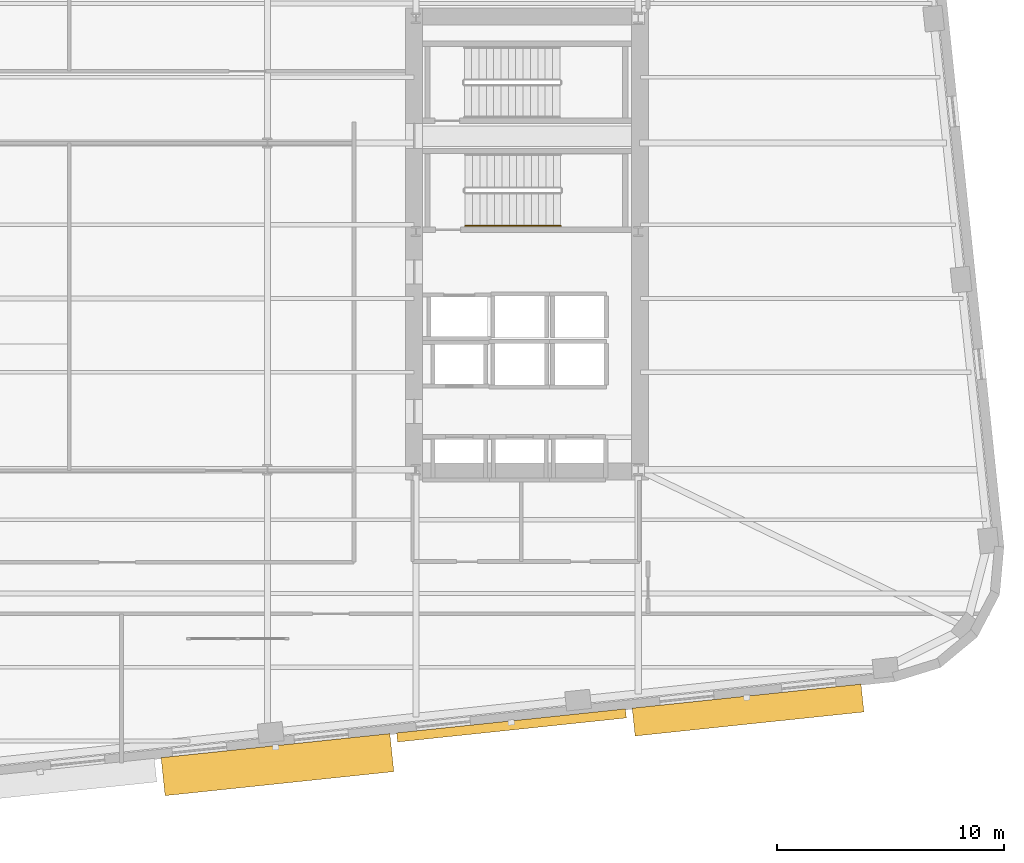
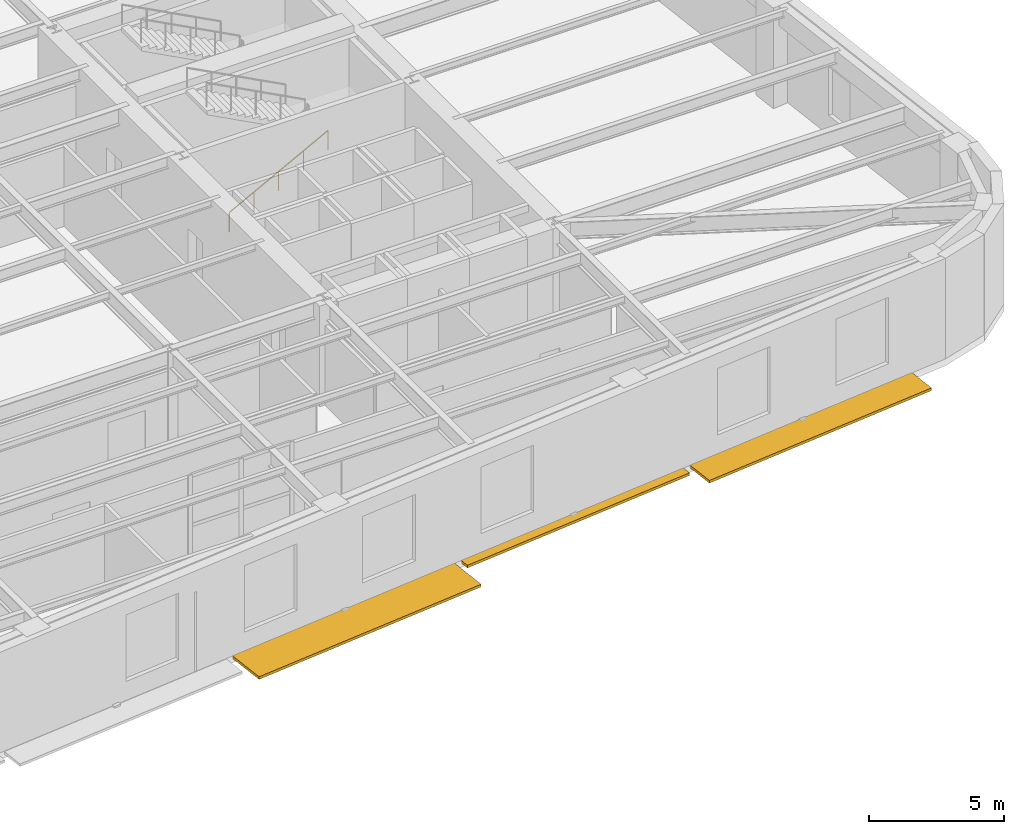
# One storey, part 12 of 14: 3 shading devices, 1 railing.
"""IFC4 building model written with IfcOpenShell, lengths in metres."""

from ifc_helpers import new_model, si_unit, direction, frame, origin, origin_2d, place, context, subcontext, project, spatial, rectangle, circle, extrude, material, type_object, element, save


model = new_model("IFC4")

# Units and contexts
model_context = context("Model", 3, precision=1e-05, world=origin(), true_north=direction((0.0, 1.0)))
body_context = subcontext(model_context, "Body", "Model", "MODEL_VIEW")
ifc_project = project(units=[si_unit("LENGTHUNIT", "METRE"), si_unit("AREAUNIT", "SQUARE_METRE"), si_unit("VOLUMEUNIT", "CUBIC_METRE"), si_unit("PLANEANGLEUNIT", "RADIAN"), si_unit("MASSUNIT", "GRAM", prefix="KILO")], contexts=[model_context])

# Site, building, storey
site_placement = place(None, origin())
site = spatial("IfcSite", under=ifc_project, at=site_placement, CompositionType="ELEMENT")
building_placement = place(site_placement, origin())
building = spatial("IfcBuilding", under=site, at=building_placement, Name="Kolvaren Arena Tower", CompositionType="ELEMENT")
storey_placement = place(building_placement, frame((0.0, 0.0, 125.949951171875)))
storey = spatial("IfcBuildingStorey", under=building, at=storey_placement, Name="L29", CompositionType="ELEMENT", Elevation=125.949951171875)

# Railing
ifc_material_1 = material(Name="Brushed stainless steel handrail", Category="steel")
railing_type = type_object("IfcRailingType", Name="HRAIL-900", PredefinedType="HANDRAIL", material=ifc_material_1)
railing_placement = place(storey_placement, frame((52.719970703125, 30.199951171875, 0.17138671875)))
element("IfcRailing", 1, at=railing_placement, inside=storey, type_object=railing_type, Name="L29 ST-E1 stair handrail 1", PredefinedType="HANDRAIL", context=body_context, shape_type="SweptSolid", body=[
    extrude(circle(Radius=0.02392578125, at=origin_2d()), frame((0.0, 0.0, 0.8759765625), z_axis=(0.883881365342, 0.0, 0.467711163007), x_axis=(0.0, 1.0, 0.0)), (0.0, 0.0, 1.0), 4.76513671875),
    extrude(circle(Radius=0.02099609375, at=origin_2d()), origin(), (0.0, 0.0, 1.0), 0.851806640625),
    extrude(circle(Radius=0.02099609375, at=origin_2d()), frame((1.052978515625, 0.0, 0.55712890625)), (0.0, 0.0, 1.0), 0.851806640625),
    extrude(circle(Radius=0.02099609375, at=origin_2d()), frame((2.10595703125, 0.0, 1.1142578125)), (0.0, 0.0, 1.0), 0.851806640625),
    extrude(circle(Radius=0.02099609375, at=origin_2d()), frame((3.158935546875, 0.0, 1.671630859375)), (0.0, 0.0, 1.0), 0.851806640625),
    extrude(circle(Radius=0.02099609375, at=origin_2d()), frame((4.2119140625, 0.0, 2.228759765625)), (0.0, 0.0, 1.0), 0.851806640625),
])

# Shading devices
ifc_material_2 = material(Name="Architectural precast GFRC and anodised aluminium sunshade", Category="concrete")
shading_device_type_1 = type_object("IfcShadingDeviceType", Name="SHAD-SINE-A", PredefinedType="USERDEFINED", material=ifc_material_2)
shading_device_1_placement = place(storey_placement, frame((65.188720703125, 8.85986328125, -0.139892578125), z_axis=(0.0, 0.0, 1.0), x_axis=(-0.994522077803, -0.104526727499, 0.0)))
element("IfcShadingDevice", 2, at=shading_device_1_placement, inside=storey, type_object=shading_device_type_1, Name="Sinusoidal Slab-Edge Sunshade Louvre (L29)", ObjectType="LOUVRE", PredefinedType="USERDEFINED", context=body_context, shape_type="SweptSolid", body=[
    extrude(rectangle(XDim=10.139892578125, YDim=1.23583984375, at=origin_2d()), origin(), (0.0, 0.0, 1.0), 0.1201171875),
])
shading_device_2_placement = place(storey_placement, frame((54.762451171875, 8.182373046875, -0.139892578125), z_axis=(0.0, 0.0, 1.0), x_axis=(-0.994522077803, -0.104526727499, 0.0)))
element("IfcShadingDevice", 3, at=shading_device_2_placement, inside=storey, type_object=shading_device_type_1, Name="Sinusoidal Slab-Edge Sunshade Louvre (L29)", ObjectType="LOUVRE", PredefinedType="USERDEFINED", context=body_context, shape_type="SweptSolid", body=[
    extrude(rectangle(XDim=10.139892578125, YDim=0.404052734375, at=origin_2d()), origin(), (0.0, 0.0, 1.0), 0.1201171875),
])
shading_device_type_2 = type_object("IfcShadingDeviceType", Name="SHAD-SINE-B", PredefinedType="JALOUSIE", material=ifc_material_2)
shading_device_3_placement = place(storey_placement, frame((44.446533203125, 6.453857421875, -0.139892578125), z_axis=(0.0, 0.0, 1.0), x_axis=(-0.994522077803, -0.104526727499, 0.0)))
element("IfcShadingDevice", 4, at=shading_device_3_placement, inside=storey, type_object=shading_device_type_2, Name="Sinusoidal Slab-Edge Sunshade Louvre (L29)", PredefinedType="JALOUSIE", context=body_context, shape_type="SweptSolid", body=[
    extrude(rectangle(XDim=10.139892578125, YDim=1.685546875, at=origin_2d()), origin(), (0.0, 0.0, 1.0), 0.1201171875),
])

save(model, "model.ifc")
